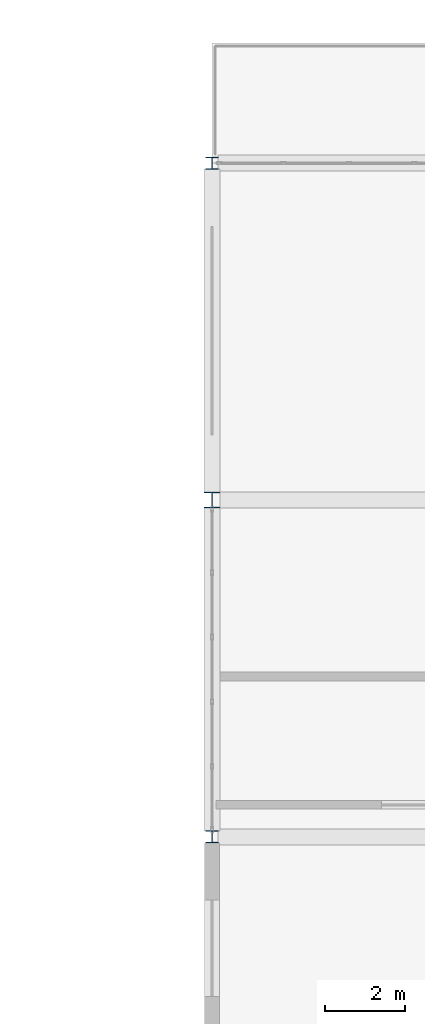
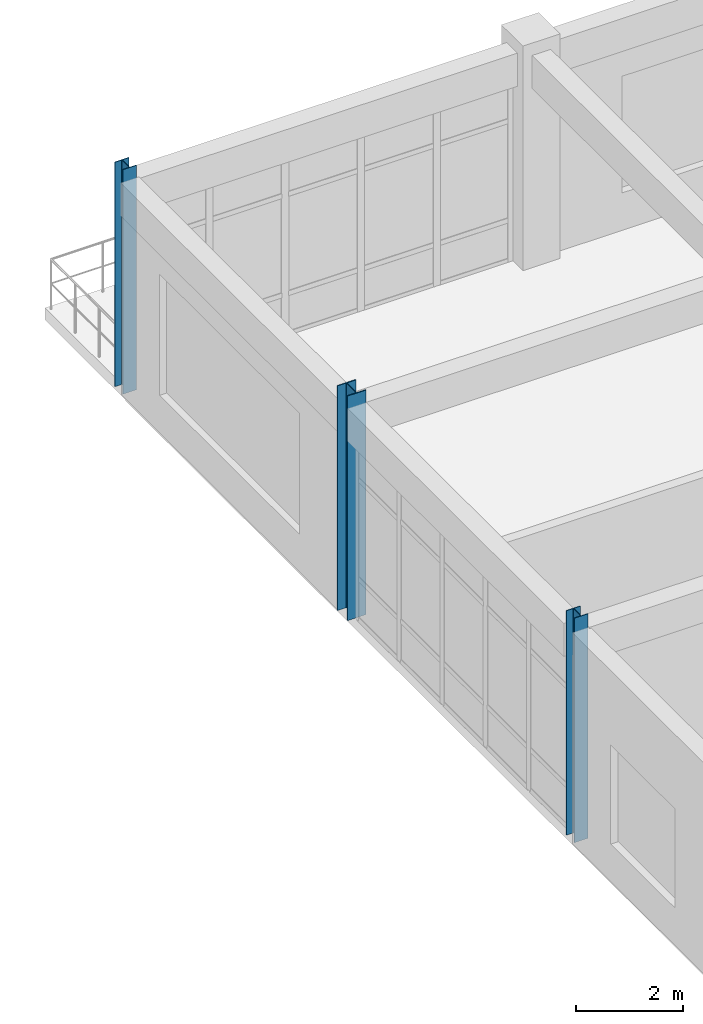
# One storey, part 2 of 96: 3 columns.
"""IFC4 building model written with IfcOpenShell, lengths in metres."""

from ifc_helpers import new_model, si_unit, derived_unit, direction, frame, origin, origin_2d, place, context, subcontext, project, spatial, i_section, extrude, material, material_profile, profile_set, type_object, element, save


model = new_model("IFC4")

# Units and contexts
model_context = context("Model", 3, precision=1e-05, world=origin(), true_north=direction((0.0, 1.0)))
body_context = subcontext(model_context, "Body", "Model", "MODEL_VIEW")
ifc_project = project(units=[si_unit("LENGTHUNIT", "METRE"), si_unit("AREAUNIT", "SQUARE_METRE"), si_unit("VOLUMEUNIT", "CUBIC_METRE"), si_unit("PLANEANGLEUNIT", "RADIAN"), si_unit("MASSUNIT", "GRAM", prefix="KILO"), derived_unit("THERMALTRANSMITTANCEUNIT", [(si_unit("MASSUNIT", "GRAM", prefix="KILO"), 1), (si_unit("TIMEUNIT", "SECOND"), -3), (si_unit("THERMODYNAMICTEMPERATUREUNIT", "KELVIN"), -1)])], contexts=[model_context])

# Site, building, storey
site_placement = place(None, origin())
site = spatial("IfcSite", under=ifc_project, at=site_placement, CompositionType="ELEMENT")
building_placement = place(site_placement, origin())
building = spatial("IfcBuilding", under=site, at=building_placement, Name="Qinzheling Arcade Emporium", CompositionType="ELEMENT")
storey_placement = place(building_placement, frame((0.0, 0.0, 21.60009765625)))
storey = spatial("IfcBuildingStorey", under=building, at=storey_placement, Name="L05", CompositionType="ELEMENT", Elevation=21.60009765625)

# Columns
ifc_material = material(Name="Structural steel Q355B", Category="steel")
ifc_material_profile_1 = material_profile(ifc_material, i_section(OverallWidth=0.39990234375, OverallDepth=0.39990234375, WebThickness=0.012939453125, FlangeThickness=0.02099609375, FilletRadius=0.02197265625, at=origin_2d()), Name="HW 400x400x13x21", Category="steel")
ifc_profile_set_1 = profile_set([ifc_material_profile_1], Name="Structural steel Q355B")
column_type_1 = type_object("IfcColumnType", Name="Canopy Steel Column HW400 Q355B", PredefinedType="COLUMN", material=ifc_profile_set_1)
column_placement = place(storey_placement, frame((121.800048828125, 16.800048828125, 0.0), z_axis=(0.0, 0.0, 1.0), x_axis=(1.0, 0.0, 0.0)))
element("IfcColumn", 1, at=column_placement, inside=storey, type_object=column_type_1, Name="Column COL-L05-15-C", PredefinedType="COLUMN", context=body_context, shape_type="SweptSolid", body=[
    extrude(i_section(OverallWidth=0.39990234375, OverallDepth=0.39990234375, WebThickness=0.012939453125, FlangeThickness=0.02099609375, FilletRadius=0.02197265625, at=origin_2d()), origin(), (0.0, 0.0, 1.0), 5.099853515625),
])
ifc_material_profile_2 = material_profile(ifc_material, i_section(OverallWidth=0.300048828125, OverallDepth=0.300048828125, WebThickness=0.010009765625, FlangeThickness=0.014892578125, FilletRadius=0.01806640625, at=origin_2d()), Name="HW 300x300x10x15", Category="steel")
ifc_profile_set_2 = profile_set([ifc_material_profile_2], Name="Structural steel Q355B")
column_type_2 = type_object("IfcColumnType", Name="Loggia Steel Post HW300 Q355B", PredefinedType="PILASTER", material=ifc_profile_set_2)
for number, where, z_axis, x_axis, name in (
    (2, (121.800048828125, 8.39990234375, 0.0), (0.0, 0.0, 1.0), (1.0, 0.0, 0.0), "Column COL-L05-15-B"),
    (3, (121.800048828125, 25.199951171875, 0.0), (0.0, 0.0, 1.0), (1.0, 0.0, 0.0), "Column COL-L05-15-D"),
):
    element("IfcColumn", number, at=place(storey_placement, frame(where, z_axis=z_axis, x_axis=x_axis)), inside=storey, type_object=column_type_2, Name=name, PredefinedType="PILASTER", context=body_context, shape_type="SweptSolid", body=[
        extrude(i_section(OverallWidth=0.300048828125, OverallDepth=0.300048828125, WebThickness=0.010009765625, FlangeThickness=0.014892578125, FilletRadius=0.01806640625, at=origin_2d()), origin(), (0.0, 0.0, 1.0), 5.099853515625),
    ])

save(model, "model.ifc")
